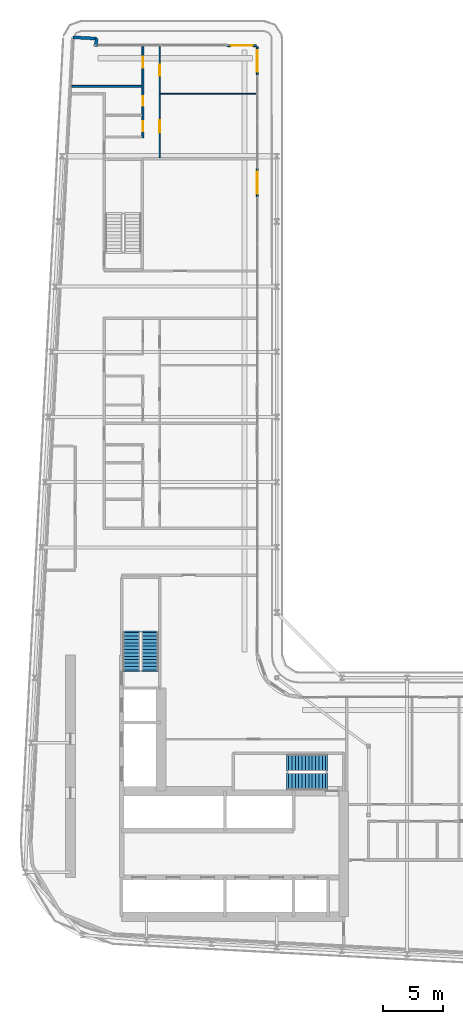
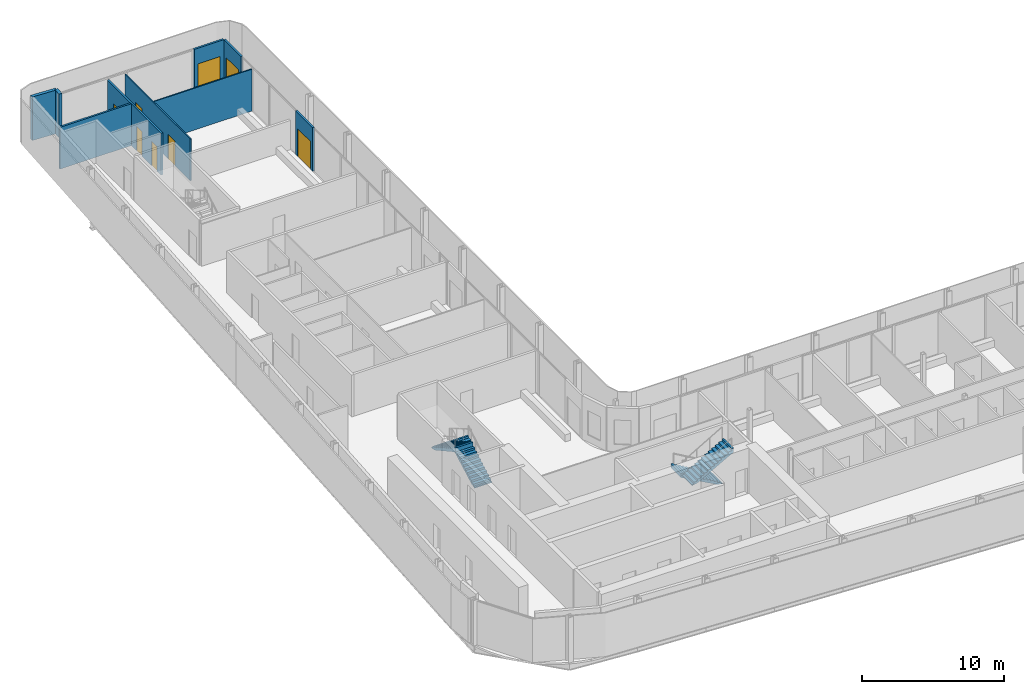
# One storey, part 18 of 26: 9 walls, 8 doors, 4 stair flights, 8 openings, 2 elements without a shape of their own.
"""IFC4 building model written with IfcOpenShell, lengths in metres."""

from ifc_helpers import new_model, si_unit, direction, frame, frame_2d, origin, place, context, subcontext, project, spatial, polyline, rectangle, outline, extrude, source, transform, mapped, material, layer, layer_set, type_object, element, fill, aggregate, save


model = new_model("IFC4")

# Units and contexts
model_context = context("Model", 3, precision=1e-05, world=origin(), true_north=direction((0.0, 1.0)))
body_context = subcontext(model_context, "Body", "Model", "MODEL_VIEW")
ifc_project = project(units=[si_unit("LENGTHUNIT", "METRE"), si_unit("AREAUNIT", "SQUARE_METRE"), si_unit("VOLUMEUNIT", "CUBIC_METRE"), si_unit("PLANEANGLEUNIT", "RADIAN"), si_unit("MASSUNIT", "GRAM", prefix="KILO")], contexts=[model_context])

# Site, building, storey
site_placement = place(None, origin())
site = spatial("IfcSite", under=ifc_project, at=site_placement, CompositionType="ELEMENT")
building_placement = place(site_placement, origin())
building = spatial("IfcBuilding", under=site, at=building_placement, Name="Kheshtan School and Residences Tower", CompositionType="ELEMENT")
storey_placement = place(building_placement, frame((0.0, 0.0, 156.5)))
storey = spatial("IfcBuildingStorey", under=building, at=storey_placement, Name="L36", CompositionType="ELEMENT", Elevation=156.5)

# Walls
ifc_material_1 = material(Name="Concrete C40/50 with ceramic cladding and mineral wool insulation", Category="concrete")
ifc_layer_1 = layer(ifc_material_1, 0.25)
ifc_layer_set_1 = layer_set([ifc_layer_1], Name="External wall 250 ceramic clad")
wall_type_1 = type_object("IfcWallType", Name="External wall 250 ceramic clad", PredefinedType="SOLIDWALL", material=ifc_layer_set_1)
wall_1_placement = place(storey_placement, frame((30.705078125, 98.6640625, 0.0), z_axis=(0.0, 0.0, 1.0), x_axis=(0.998577785791, -0.053314216913, 0.0)))
element("IfcWall", 1, at=wall_1_placement, inside=storey, type_object=wall_type_1, Name="External wall L36 5", PredefinedType="SOLIDWALL", context=body_context, shape_type="SweptSolid", body=[
    extrude(rectangle(XDim=1.95068359375, YDim=0.25, at=frame_2d((0.975341796875, 0.0))), origin(), (0.0, 0.0, 1.0), 3.75),
])
wall_2_placement = place(storey_placement, frame((32.653076171875, 98.56005859375, 0.0), z_axis=(0.0, 0.0, 1.0), x_axis=(-0.054093451632, -0.998535877418, 0.0)))
element("IfcWall", 2, at=wall_2_placement, inside=storey, type_object=wall_type_1, Name="External wall L36 6", PredefinedType="SOLIDWALL", context=body_context, shape_type="SweptSolid", body=[
    extrude(rectangle(XDim=0.66796875, YDim=0.25, at=frame_2d((0.333984375, 0.0))), origin(), (0.0, 0.0, 1.0), 3.75),
])

# Wall, opening, door
ifc_material_2 = material(Name="Aluminium frame wall with insulated infill", Category="aluminium")
ifc_layer_2 = layer(ifc_material_2, 0.14990234375)
ifc_layer_set_2 = layer_set([ifc_layer_2], Name="Glazing frame wall 150")
wall_type_2 = type_object("IfcWallType", Name="Glazing frame wall 150", PredefinedType="SOLIDWALL", material=ifc_layer_set_2)
wall_3_placement = place(storey_placement, frame((43.5, 97.97509765625, 0.0), z_axis=(0.0, 0.0, 1.0), x_axis=(1.0, 0.0, 0.0)))
wall_3 = element("IfcWall", 3, at=wall_3_placement, inside=storey, type_object=wall_type_2, Name="Balcony door wall L36 7.1", PredefinedType="SOLIDWALL", context=body_context, shape_type="SweptSolid", body=[
    extrude(rectangle(XDim=2.39990234375, YDim=0.14990234375, at=frame_2d((1.199951171875, 0.0))), origin(), (0.0, 0.0, 1.0), 3.75),
])
opening_1_placement = place(wall_3_placement, frame((0.300048828125, 0.0, 0.0)))
opening_1 = element("IfcOpeningElement", 4, at=opening_1_placement, cuts=wall_3, Name="Opening BD", PredefinedType="OPENING", context=body_context, shape_type="SweptSolid", body=[
    extrude(rectangle(XDim=1.800048828125, YDim=2.39990234375, at=frame_2d((0.89990234375, 1.199951171875))), frame((0.0, 0.0849609375, 0.0), z_axis=(0.0, -1.0, 0.0), x_axis=(1.0, 0.0, 0.0)), (0.0, 0.0, 1.0), 0.169921875),
])
ifc_material_3 = material(Name="Clear low-e glass in thermally broken aluminium frame", Category="aluminium")
door_type_1 = type_object("IfcDoorType", Name="Balcony sliding door", OperationType="SLIDING_TO_LEFT", PredefinedType="DOOR", material=ifc_material_3)
shared_shape_1 = source(origin(), body_context, "Body", "SweptSolid", [
    extrude(rectangle(XDim=1.800048828125, YDim=2.39990234375, at=frame_2d((0.89990234375, 1.199951171875))), frame((0.0, 0.02490234375, 0.0), z_axis=(0.0, -1.0, 0.0), x_axis=(1.0, 0.0, 0.0)), (0.0, 0.0, 1.0), 0.050048828125),
])
door_1_placement = place(opening_1_placement, origin())
door_1 = element("IfcDoor", 5, at=door_1_placement, inside=storey, type_object=door_type_1, Name="Balcony door L36 7.1", OperationType="SLIDING_TO_LEFT", OverallHeight=2.39990234375, OverallWidth=1.800048828125, PredefinedType="DOOR", context=body_context, shape_type="MappedRepresentation", body=[
    mapped(shared_shape_1, transform((0.0, 0.0, 0.0), x_axis=(1.0, 0.0, 0.0), y_axis=(0.0, 1.0, 0.0), z_axis=(0.0, 0.0, 1.0), scale=1.0)),
])
fill(opening_1, door_1)

wall_4_placement = place(storey_placement, frame((45.97509765625, 97.89990234375, 0.0), z_axis=(0.0, 0.0, 1.0), x_axis=(0.0, -1.0, 0.0)))
wall_4 = element("IfcWall", 6, at=wall_4_placement, inside=storey, type_object=wall_type_2, Name="Balcony door wall L36 8.1", PredefinedType="SOLIDWALL", context=body_context, shape_type="SweptSolid", body=[
    extrude(rectangle(XDim=2.39990234375, YDim=0.14990234375, at=frame_2d((1.199951171875, 0.0))), origin(), (0.0, 0.0, 1.0), 3.75),
])
opening_2_placement = place(wall_4_placement, frame((0.300048828125, 0.0, 0.0)))
opening_2 = element("IfcOpeningElement", 7, at=opening_2_placement, cuts=wall_4, Name="Opening BD", PredefinedType="OPENING", context=body_context, shape_type="SweptSolid", body=[
    extrude(rectangle(XDim=1.800048828125, YDim=2.39990234375, at=frame_2d((0.89990234375, 1.199951171875))), frame((0.0, 0.0849609375, 0.0), z_axis=(0.0, -1.0, 0.0), x_axis=(1.0, 0.0, 0.0)), (0.0, 0.0, 1.0), 0.169921875),
])
door_2_placement = place(opening_2_placement, origin())
door_2 = element("IfcDoor", 8, at=door_2_placement, inside=storey, type_object=door_type_1, Name="Balcony door L36 8.1", OperationType="SLIDING_TO_LEFT", OverallHeight=2.39990234375, OverallWidth=1.800048828125, PredefinedType="DOOR", context=body_context, shape_type="MappedRepresentation", body=[
    mapped(shared_shape_1, transform((0.0, 0.0, 0.0), x_axis=(1.0, 0.0, 0.0), y_axis=(0.0, 1.0, 0.0), z_axis=(0.0, 0.0, 1.0), scale=1.0)),
])
fill(opening_2, door_2)

wall_5_placement = place(storey_placement, frame((45.97509765625, 87.805908203125, 0.0), z_axis=(0.0, 0.0, 1.0), x_axis=(0.0, -1.0, 0.0)))
wall_5 = element("IfcWall", 9, at=wall_5_placement, inside=storey, type_object=wall_type_2, Name="Balcony door wall L36 8.2", PredefinedType="SOLIDWALL", context=body_context, shape_type="SweptSolid", body=[
    extrude(rectangle(XDim=2.39990234375, YDim=0.14990234375, at=frame_2d((1.199951171875, 0.0))), origin(), (0.0, 0.0, 1.0), 3.75),
])
opening_3_placement = place(wall_5_placement, frame((0.300048828125, 0.0, 0.0)))
opening_3 = element("IfcOpeningElement", 10, at=opening_3_placement, cuts=wall_5, Name="Opening BD", PredefinedType="OPENING", context=body_context, shape_type="SweptSolid", body=[
    extrude(rectangle(XDim=1.800048828125, YDim=2.39990234375, at=frame_2d((0.89990234375, 1.199951171875))), frame((0.0, 0.0849609375, 0.0), z_axis=(0.0, -1.0, 0.0), x_axis=(1.0, 0.0, 0.0)), (0.0, 0.0, 1.0), 0.169921875),
])
door_3_placement = place(opening_3_placement, origin())
door_3 = element("IfcDoor", 11, at=door_3_placement, inside=storey, type_object=door_type_1, Name="Balcony door L36 8.2", OperationType="SLIDING_TO_LEFT", OverallHeight=2.39990234375, OverallWidth=1.800048828125, PredefinedType="DOOR", context=body_context, shape_type="MappedRepresentation", body=[
    mapped(shared_shape_1, transform((0.0, 0.0, 0.0), x_axis=(1.0, 0.0, 0.0), y_axis=(0.0, 1.0, 0.0), z_axis=(0.0, 0.0, 1.0), scale=1.0)),
])
fill(opening_3, door_3)

# Wall, openings, doors
ifc_material_4 = material(Name="Gypsum board on steel studs", Category="steel")
ifc_layer_3 = layer(ifc_material_4, 0.10009765625)
ifc_layer_set_3 = layer_set([ifc_layer_3], Name="Gypsum partition 100")
wall_type_3 = type_object("IfcWallType", Name="Gypsum partition 100", PredefinedType="PARTITIONING", material=ifc_layer_set_3)
wall_6_placement = place(storey_placement, frame((37.89990234375, 88.699951171875, 0.0), z_axis=(0.0, 0.0, 1.0), x_axis=(0.0, 1.0, 0.0)))
wall_6 = element("IfcWall", 12, at=wall_6_placement, inside=storey, type_object=wall_type_3, Name="Partition L36-025", PredefinedType="PARTITIONING", context=body_context, shape_type="SweptSolid", body=[
    extrude(rectangle(XDim=9.199951171875, YDim=0.10009765625, at=frame_2d((4.60009765625, 0.0))), origin(), (0.0, 0.0, 1.0), 3.60009765625),
])
opening_4_placement = place(wall_6_placement, frame((6.800048828125, 0.0, 0.0)))
opening_4 = element("IfcOpeningElement", 13, at=opening_4_placement, cuts=wall_6, Name="Opening D35-039", PredefinedType="OPENING", context=body_context, shape_type="SweptSolid", body=[
    extrude(rectangle(XDim=0.89990234375, YDim=2.10009765625, at=frame_2d((0.449951171875, 1.050048828125))), frame((0.0, 0.06005859375, 0.0), z_axis=(0.0, -1.0, 0.0), x_axis=(1.0, 0.0, 0.0)), (0.0, 0.0, 1.0), 0.1201171875),
])
opening_5_placement = place(wall_6_placement, frame((2.10009765625, 0.0, 0.0)))
opening_5 = element("IfcOpeningElement", 14, at=opening_5_placement, cuts=wall_6, Name="Opening D35-042", PredefinedType="OPENING", context=body_context, shape_type="SweptSolid", body=[
    extrude(rectangle(XDim=1.0, YDim=2.10009765625, at=frame_2d((0.5, 1.050048828125))), frame((0.0, 0.06005859375, 0.0), z_axis=(0.0, -1.0, 0.0), x_axis=(1.0, 0.0, 0.0)), (0.0, 0.0, 1.0), 0.1201171875),
])
ifc_material_5 = material(Name="Veneered timber door leaf", Category="wood")
door_type_2 = type_object("IfcDoorType", Name="Door 1000 x 2100", OperationType="SINGLE_SWING_LEFT", PredefinedType="DOOR", material=ifc_material_5)
shared_shape_2 = source(origin(), body_context, "Body", "SweptSolid", [
    extrude(rectangle(XDim=1.0, YDim=2.10009765625, at=frame_2d((0.5, 1.050048828125))), frame((0.0, 0.02490234375, 0.0), z_axis=(0.0, -1.0, 0.0), x_axis=(1.0, 0.0, 0.0)), (0.0, 0.0, 1.0), 0.050048828125),
])
door_4_placement = place(opening_5_placement, origin())
door_4 = element("IfcDoor", 15, at=door_4_placement, inside=storey, type_object=door_type_2, Name="Door D35-042", OperationType="SINGLE_SWING_LEFT", OverallHeight=2.10009765625, OverallWidth=1.0, PredefinedType="DOOR", context=body_context, shape_type="MappedRepresentation", body=[
    mapped(shared_shape_2, transform((0.0, 0.0, 0.0), x_axis=(1.0, 0.0, 0.0), y_axis=(0.0, 1.0, 0.0), z_axis=(0.0, 0.0, 1.0), scale=1.0)),
])
fill(opening_5, door_4)
door_type_3 = type_object("IfcDoorType", Name="Door 900 x 2100", OperationType="SINGLE_SWING_LEFT", PredefinedType="DOOR", material=ifc_material_5)
shared_shape_3 = source(origin(), body_context, "Body", "SweptSolid", [
    extrude(rectangle(XDim=0.89990234375, YDim=2.10009765625, at=frame_2d((0.449951171875, 1.050048828125))), frame((0.0, 0.02490234375, 0.0), z_axis=(0.0, -1.0, 0.0), x_axis=(1.0, 0.0, 0.0)), (0.0, 0.0, 1.0), 0.050048828125),
])
door_5_placement = place(opening_4_placement, origin())
door_5 = element("IfcDoor", 16, at=door_5_placement, inside=storey, type_object=door_type_3, Name="Door D35-039", OperationType="SINGLE_SWING_RIGHT", OverallHeight=2.10009765625, OverallWidth=0.89990234375, PredefinedType="DOOR", context=body_context, shape_type="MappedRepresentation", body=[
    mapped(shared_shape_3, transform((0.0, 0.0, 0.0), x_axis=(1.0, 0.0, 0.0), y_axis=(0.0, 1.0, 0.0), z_axis=(0.0, 0.0, 1.0), scale=1.0)),
])
fill(opening_4, door_5)

# Walls
wall_7_placement = place(storey_placement, frame((37.949951171875, 94.0, 0.0), z_axis=(0.0, 0.0, 1.0), x_axis=(1.0, 0.0, 0.0)))
element("IfcWall", 17, at=wall_7_placement, inside=storey, type_object=wall_type_3, Name="Partition L36-028", PredefinedType="PARTITIONING", context=body_context, shape_type="SweptSolid", body=[
    extrude(rectangle(XDim=7.949951171875, YDim=0.10009765625, at=frame_2d((3.97509765625, 0.0))), origin(), (0.0, 0.0, 1.0), 3.60009765625),
])
ifc_material_6 = material(Name="Moisture-resistant gypsum board on steel studs", Category="steel")
ifc_layer_4 = layer(ifc_material_6, 0.14990234375)
ifc_layer_set_4 = layer_set([ifc_layer_4], Name="Wet-room partition 150")
wall_type_4 = type_object("IfcWallType", Name="Wet-room partition 150", PredefinedType="PARTITIONING", material=ifc_layer_set_4)
wall_8_placement = place(storey_placement, frame((30.616943359375, 94.60009765625, 0.0), z_axis=(0.0, 0.0, 1.0), x_axis=(1.0, 0.0, 0.0)))
element("IfcWall", 18, at=wall_8_placement, inside=storey, type_object=wall_type_4, Name="Partition L36-001", PredefinedType="PARTITIONING", context=body_context, shape_type="SweptSolid", body=[
    extrude(rectangle(XDim=5.80810546875, YDim=0.14990234375, at=frame_2d((2.904052734375, 0.0))), origin(), (0.0, 0.0, 1.0), 3.60009765625),
])

# Wall, openings, doors
wall_9_placement = place(storey_placement, frame((36.5, 90.324951171875, 0.0), z_axis=(0.0, 0.0, 1.0), x_axis=(0.0, 1.0, 0.0)))
wall_9 = element("IfcWall", 19, at=wall_9_placement, inside=storey, type_object=wall_type_4, Name="Partition L36-022", PredefinedType="PARTITIONING", context=body_context, shape_type="SweptSolid", body=[
    extrude(rectangle(XDim=7.574951171875, YDim=0.14990234375, at=frame_2d((3.78759765625, 0.0))), origin(), (0.0, 0.0, 1.0), 3.60009765625),
])
opening_6_placement = place(wall_9_placement, frame((2.675048828125, 0.0, 0.0)))
opening_6 = element("IfcOpeningElement", 20, at=opening_6_placement, cuts=wall_9, Name="Opening D35-038", PredefinedType="OPENING", context=body_context, shape_type="SweptSolid", body=[
    extrude(rectangle(XDim=0.800048828125, YDim=2.10009765625, at=frame_2d((0.39990234375, 1.050048828125))), frame((0.0, 0.0849609375, 0.0), z_axis=(0.0, -1.0, 0.0), x_axis=(1.0, 0.0, 0.0)), (0.0, 0.0, 1.0), 0.169921875),
])
opening_7_placement = place(wall_9_placement, frame((5.824951171875, 0.0, 0.0)))
opening_7 = element("IfcOpeningElement", 21, at=opening_7_placement, cuts=wall_9, Name="Opening D35-041", PredefinedType="OPENING", context=body_context, shape_type="SweptSolid", body=[
    extrude(rectangle(XDim=0.89990234375, YDim=2.10009765625, at=frame_2d((0.449951171875, 1.050048828125))), frame((0.0, 0.0849609375, 0.0), z_axis=(0.0, -1.0, 0.0), x_axis=(1.0, 0.0, 0.0)), (0.0, 0.0, 1.0), 0.169921875),
])
opening_8_placement = place(wall_9_placement, frame((0.574951171875, 0.0, 0.0)))
opening_8 = element("IfcOpeningElement", 22, at=opening_8_placement, cuts=wall_9, Name="Opening D35-043", PredefinedType="OPENING", context=body_context, shape_type="SweptSolid", body=[
    extrude(rectangle(XDim=0.800048828125, YDim=2.10009765625, at=frame_2d((0.39990234375, 1.050048828125))), frame((0.0, 0.0849609375, 0.0), z_axis=(0.0, -1.0, 0.0), x_axis=(1.0, 0.0, 0.0)), (0.0, 0.0, 1.0), 0.169921875),
])
door_type_4 = type_object("IfcDoorType", Name="Door 800 x 2100", OperationType="SINGLE_SWING_LEFT", PredefinedType="DOOR", material=ifc_material_5)
shared_shape_4 = source(origin(), body_context, "Body", "SweptSolid", [
    extrude(rectangle(XDim=0.800048828125, YDim=2.10009765625, at=frame_2d((0.39990234375, 1.050048828125))), frame((0.0, 0.02490234375, 0.0), z_axis=(0.0, -1.0, 0.0), x_axis=(1.0, 0.0, 0.0)), (0.0, 0.0, 1.0), 0.050048828125),
])
door_6_placement = place(opening_6_placement, origin())
door_6 = element("IfcDoor", 23, at=door_6_placement, inside=storey, type_object=door_type_4, Name="Door D35-038", OperationType="SINGLE_SWING_LEFT", OverallHeight=2.10009765625, OverallWidth=0.800048828125, PredefinedType="DOOR", context=body_context, shape_type="MappedRepresentation", body=[
    mapped(shared_shape_4, transform((0.0, 0.0, 0.0), x_axis=(1.0, 0.0, 0.0), y_axis=(0.0, 1.0, 0.0), z_axis=(0.0, 0.0, 1.0), scale=1.0)),
])
fill(opening_6, door_6)
door_7_placement = place(opening_8_placement, origin())
door_7 = element("IfcDoor", 24, at=door_7_placement, inside=storey, type_object=door_type_4, Name="Door D35-043", OperationType="SINGLE_SWING_RIGHT", OverallHeight=2.10009765625, OverallWidth=0.800048828125, PredefinedType="DOOR", context=body_context, shape_type="MappedRepresentation", body=[
    mapped(shared_shape_4, transform((0.0, 0.0, 0.0), x_axis=(1.0, 0.0, 0.0), y_axis=(0.0, 1.0, 0.0), z_axis=(0.0, 0.0, 1.0), scale=1.0)),
])
fill(opening_8, door_7)
door_8_placement = place(opening_7_placement, origin())
door_8 = element("IfcDoor", 25, at=door_8_placement, inside=storey, type_object=door_type_3, Name="Door D35-041", OperationType="SINGLE_SWING_RIGHT", OverallHeight=2.10009765625, OverallWidth=0.89990234375, PredefinedType="DOOR", context=body_context, shape_type="MappedRepresentation", body=[
    mapped(shared_shape_3, transform((0.0, 0.0, 0.0), x_axis=(1.0, 0.0, 0.0), y_axis=(0.0, 1.0, 0.0), z_axis=(0.0, 0.0, 1.0), scale=1.0)),
])
fill(opening_7, door_8)

# Stair, stair flights
ifc_material_7 = material(Name="Concrete C40/50", Category="concrete")
stair_type = type_object("IfcStairType", Name="Exit stair, half-turn", PredefinedType="HALF_TURN_STAIR", material=ifc_material_7)
stair_1_placement = place(storey_placement, origin())
stair_1 = element("IfcStair", 26, at=stair_1_placement, inside=storey, type_object=stair_type, Name="L36 Protected Exit Stair ST1", PredefinedType="HALF_TURN_STAIR")
ifc_layer_5 = layer(ifc_material_7, 0.14990234375)
ifc_layer_set_5 = layer_set([ifc_layer_5], Name="Stair flight 1400 Concrete C40/50")
stair_flight_type = type_object("IfcStairFlightType", Name="Stair flight 1400 Concrete C40/50", PredefinedType="STRAIGHT", material=ifc_layer_set_5)
stair_flight_1_placement = place(storey_placement, frame((51.64990234375, 38.550048828125, 0.0), z_axis=(0.0, 0.0, 1.0), x_axis=(-1.0, 0.0, 0.0)))
stair_flight_1 = element("IfcStairFlight", 27, at=stair_flight_1_placement, type_object=stair_flight_type, Name="ST1 flight 1", NumberOfRisers=12, NumberOfTreads=11, PredefinedType="STRAIGHT", RiserHeight=0.1625, TreadLength=0.28, context=body_context, shape_type="SweptSolid", body=[
    extrude(outline(polyline([(-0.14990234375, -0.10009765625), (-0.14990234375, 0.0), (0.0, 0.0), (0.0, 0.16259765625), (0.280029296875, 0.16259765625), (0.280029296875, 0.324951171875), (0.56005859375, 0.324951171875), (0.56005859375, 0.487548828125), (0.840087890625, 0.487548828125), (0.840087890625, 0.64990234375), (1.1201171875, 0.64990234375), (1.1201171875, 0.8125), (1.39990234375, 0.8125), (1.39990234375, 0.97509765625), (1.679931640625, 0.97509765625), (1.679931640625, 1.137451171875), (1.9599609375, 1.137451171875), (1.9599609375, 1.300048828125), (2.239990234375, 1.300048828125), (2.239990234375, 1.46240234375), (2.52001953125, 1.46240234375), (2.52001953125, 1.625), (2.800048828125, 1.625), (2.800048828125, 1.78759765625), (3.080078125, 1.78759765625), (3.080078125, 1.949951171875), (3.080078125, 1.969970703125), (3.22998046875, 1.969970703125), (3.22998046875, 1.6142578125), (0.298583984375, 0.0), (-0.14990234375, -0.10009765625)])), frame((0.0, 0.699951171875, 0.0), z_axis=(0.0, -1.0, 0.0), x_axis=(1.0, 0.0, 0.0)), (0.0, 0.0, 1.0), 1.39990234375),
])
stair_flight_2_placement = place(storey_placement, frame((48.570068359375, 37.0, 1.949951171875), z_axis=(0.0, 0.0, 1.0), x_axis=(1.0, 0.0, 0.0)))
stair_flight_2 = element("IfcStairFlight", 28, at=stair_flight_2_placement, type_object=stair_flight_type, Name="ST1 flight 2", NumberOfRisers=12, NumberOfTreads=11, PredefinedType="STRAIGHT", RiserHeight=0.1625, TreadLength=0.28, context=body_context, shape_type="SweptSolid", body=[
    extrude(outline(polyline([(-0.14990234375, -0.10009765625), (-0.14990234375, 0.0), (0.0, 0.0), (0.0, 0.16259765625), (0.280029296875, 0.16259765625), (0.280029296875, 0.324951171875), (0.56005859375, 0.324951171875), (0.56005859375, 0.487548828125), (0.840087890625, 0.487548828125), (0.840087890625, 0.64990234375), (1.1201171875, 0.64990234375), (1.1201171875, 0.8125), (1.39990234375, 0.8125), (1.39990234375, 0.97509765625), (1.679931640625, 0.97509765625), (1.679931640625, 1.137451171875), (1.9599609375, 1.137451171875), (1.9599609375, 1.300048828125), (2.239990234375, 1.300048828125), (2.239990234375, 1.46240234375), (2.52001953125, 1.46240234375), (2.52001953125, 1.625), (2.800048828125, 1.625), (2.800048828125, 1.78759765625), (3.080078125, 1.78759765625), (3.080078125, 1.949951171875), (3.080078125, 1.969970703125), (3.22998046875, 1.969970703125), (3.22998046875, 1.6142578125), (0.298583984375, 0.0), (-0.14990234375, -0.10009765625)])), frame((0.0, 0.699951171875, 0.0), z_axis=(0.0, -1.0, 0.0), x_axis=(1.0, 0.0, 0.0)), (0.0, 0.0, 1.0), 1.39990234375),
])
aggregate(stair_1, [stair_flight_1, stair_flight_2])

stair_2_placement = place(storey_placement, origin())
stair_2 = element("IfcStair", 29, at=stair_2_placement, inside=storey, type_object=stair_type, Name="L36 Protected Exit Stair ST2", PredefinedType="HALF_TURN_STAIR")
stair_flight_3_placement = place(storey_placement, frame((37.10009765625, 46.25, 0.0), z_axis=(0.0, 0.0, 1.0), x_axis=(0.0, 1.0, 0.0)))
stair_flight_3 = element("IfcStairFlight", 30, at=stair_flight_3_placement, type_object=stair_flight_type, Name="ST2 flight 1", NumberOfRisers=12, NumberOfTreads=11, PredefinedType="STRAIGHT", RiserHeight=0.1625, TreadLength=0.28, context=body_context, shape_type="SweptSolid", body=[
    extrude(outline(polyline([(-0.14990234375, -0.10009765625), (-0.14990234375, 0.0), (0.0, 0.0), (0.0, 0.16259765625), (0.280029296875, 0.16259765625), (0.280029296875, 0.324951171875), (0.56005859375, 0.324951171875), (0.56005859375, 0.487548828125), (0.840087890625, 0.487548828125), (0.840087890625, 0.64990234375), (1.1201171875, 0.64990234375), (1.1201171875, 0.8125), (1.39990234375, 0.8125), (1.39990234375, 0.97509765625), (1.679931640625, 0.97509765625), (1.679931640625, 1.137451171875), (1.9599609375, 1.137451171875), (1.9599609375, 1.300048828125), (2.239990234375, 1.300048828125), (2.239990234375, 1.46240234375), (2.52001953125, 1.46240234375), (2.52001953125, 1.625), (2.800048828125, 1.625), (2.800048828125, 1.78759765625), (3.080078125, 1.78759765625), (3.080078125, 1.949951171875), (3.080078125, 1.969970703125), (3.22998046875, 1.969970703125), (3.22998046875, 1.6142578125), (0.298583984375, 0.0), (-0.14990234375, -0.10009765625)])), frame((0.0, 0.699951171875, 0.0), z_axis=(0.0, -1.0, 0.0), x_axis=(1.0, 0.0, 0.0)), (0.0, 0.0, 1.0), 1.39990234375),
])
stair_flight_4_placement = place(storey_placement, frame((35.550048828125, 49.330078125, 1.949951171875), z_axis=(0.0, 0.0, 1.0), x_axis=(0.0, -1.0, 0.0)))
stair_flight_4 = element("IfcStairFlight", 31, at=stair_flight_4_placement, type_object=stair_flight_type, Name="ST2 flight 2", NumberOfRisers=12, NumberOfTreads=11, PredefinedType="STRAIGHT", RiserHeight=0.1625, TreadLength=0.28, context=body_context, shape_type="SweptSolid", body=[
    extrude(outline(polyline([(-0.14990234375, -0.10009765625), (-0.14990234375, 0.0), (0.0, 0.0), (0.0, 0.16259765625), (0.280029296875, 0.16259765625), (0.280029296875, 0.324951171875), (0.56005859375, 0.324951171875), (0.56005859375, 0.487548828125), (0.840087890625, 0.487548828125), (0.840087890625, 0.64990234375), (1.1201171875, 0.64990234375), (1.1201171875, 0.8125), (1.39990234375, 0.8125), (1.39990234375, 0.97509765625), (1.679931640625, 0.97509765625), (1.679931640625, 1.137451171875), (1.9599609375, 1.137451171875), (1.9599609375, 1.300048828125), (2.239990234375, 1.300048828125), (2.239990234375, 1.46240234375), (2.52001953125, 1.46240234375), (2.52001953125, 1.625), (2.800048828125, 1.625), (2.800048828125, 1.78759765625), (3.080078125, 1.78759765625), (3.080078125, 1.949951171875), (3.080078125, 1.969970703125), (3.22998046875, 1.969970703125), (3.22998046875, 1.6142578125), (0.298583984375, 0.0), (-0.14990234375, -0.10009765625)])), frame((0.0, 0.699951171875, 0.0), z_axis=(0.0, -1.0, 0.0), x_axis=(1.0, 0.0, 0.0)), (0.0, 0.0, 1.0), 1.39990234375),
])
aggregate(stair_2, [stair_flight_3, stair_flight_4])

save(model, "model.ifc")
